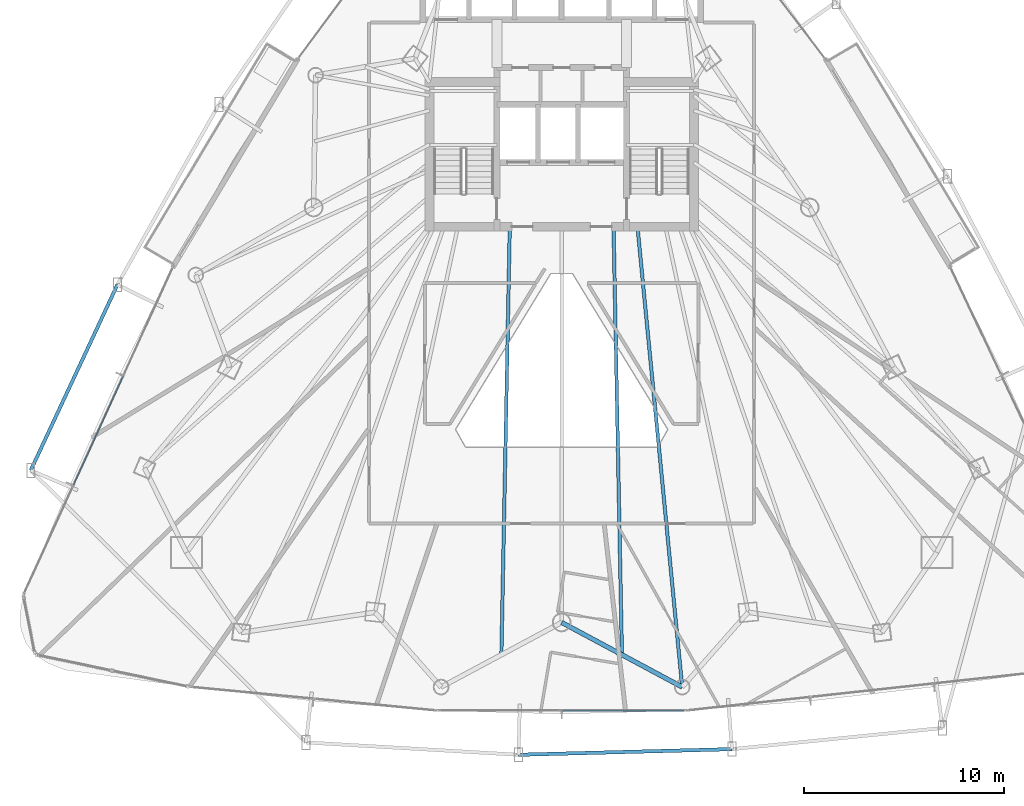
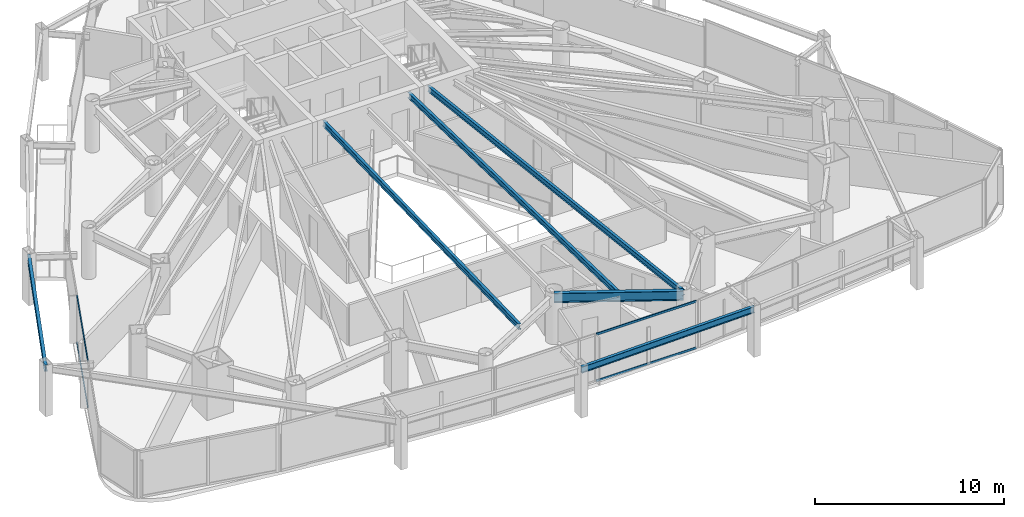
# One storey, part 7 of 33: 6 beams, 4 members, 2 elements without a shape of their own.
"""IFC4 building model written with IfcOpenShell, lengths in metres."""

import ifcopenshell
import ifcopenshell.guid

model = None  # the IFC model being written
_history = None  # IfcOwnerHistory: only IFC2X3 demands one
_inside = {}  # id of a spatial element -> (the spatial element, [elements in it])
_under = {}  # id of a project, library or spatial element -> (it, [spatial elements below it])
_declared = {}  # id of a project -> (the project, [libraries it declares])
_typed = {}  # id of a type object -> (the type object, [elements of that type])
_made_of = {}  # id of a material, layer set ... -> (it, [elements and type objects made of it])


def new_model(schema):
    """Start an empty IFC model of exactly this schema.

    Asked for "IFC4X3", IfcOpenShell would pick the latest addendum, in which some entities
    have other attributes; the version numbers below select the first issue.
    IFC2X3 requires an IfcOwnerHistory on every rooted entity: one is made here for all.
    """
    global model, _history
    if schema == "IFC4X3":
        model = ifcopenshell.file(schema_version=(4, 3, 0, 0))
    else:
        model = ifcopenshell.file(schema=schema)
    _inside.clear()
    _under.clear()
    _declared.clear()
    _typed.clear()
    _made_of.clear()
    _history = None
    if model.schema == "IFC2X3":
        org = make("IfcOrganization", Name="unknown")
        user = make(
            "IfcPersonAndOrganization",
            ThePerson=make("IfcPerson", FamilyName="unknown"),
            TheOrganization=org,
        )
        app = make(
            "IfcApplication",
            ApplicationDeveloper=org,
            Version="unknown",
            ApplicationFullName="unknown",
            ApplicationIdentifier="unknown",
        )
        _history = make(
            "IfcOwnerHistory",
            OwningUser=user,
            OwningApplication=app,
            ChangeAction="ADDED",
            CreationDate=0,
        )
    return model


def make(cls, **values):
    """One entity of the class cls with the attributes given. An attribute that is None is left unset."""
    return model.create_entity(
        cls, **{name: value for name, value in values.items() if value is not None}
    )


def rooted(cls, **values):
    """An entity with a GlobalId (a new one), such as an element, a storey or a relation."""
    return make(cls, GlobalId=ifcopenshell.guid.new(), OwnerHistory=_history, **values)


def si_unit(unit_type, name, prefix=None):
    """IfcSIUnit, for example si_unit("LENGTHUNIT", "METRE", prefix="MILLI")."""
    return make("IfcSIUnit", UnitType=unit_type, Prefix=prefix, Name=name)


def assignment(units):
    """IfcUnitAssignment: the units of a project."""
    return None if units is None else make("IfcUnitAssignment", Units=units)


def point(xyz):
    """IfcCartesianPoint."""
    return None if xyz is None else make("IfcCartesianPoint", Coordinates=xyz)


def direction(xyz):
    """IfcDirection."""
    return None if xyz is None else make("IfcDirection", DirectionRatios=xyz)


def frame(location, z_axis=None, x_axis=None):
    """IfcAxis2Placement3D, a coordinate frame: its origin and axes. An axis left out is left unset."""
    return make(
        "IfcAxis2Placement3D",
        Location=point(location),
        Axis=direction(z_axis),
        RefDirection=direction(x_axis),
    )


def frame_2d(location, x_axis=None):
    """IfcAxis2Placement2D, a coordinate frame in the plane: its origin and x axis."""
    return make(
        "IfcAxis2Placement2D", Location=point(location), RefDirection=direction(x_axis)
    )


def origin():
    """The frame at (0, 0, 0) with its axes left unset."""
    return frame((0.0, 0.0, 0.0))


def origin_2d():
    """The frame at (0, 0) in the plane with its x axis left unset."""
    return frame_2d((0.0, 0.0))


def place(relative_to, where):
    """IfcLocalPlacement: puts the frame where relative to a parent placement (None: the world)."""
    return make(
        "IfcLocalPlacement", PlacementRelTo=relative_to, RelativePlacement=where
    )


def context(
    kind, dimensions, precision=None, world=None, true_north=None, identifier=None
):
    """IfcGeometricRepresentationContext, for example the 3D "Model" context."""
    return make(
        "IfcGeometricRepresentationContext",
        ContextIdentifier=identifier,
        ContextType=kind,
        CoordinateSpaceDimension=dimensions,
        Precision=precision,
        WorldCoordinateSystem=world,
        TrueNorth=true_north,
    )


def subcontext(parent, identifier, kind, view, scale=None):
    """IfcGeometricRepresentationSubContext, for example "Body" below "Model"."""
    return make(
        "IfcGeometricRepresentationSubContext",
        ContextIdentifier=identifier,
        ContextType=kind,
        ParentContext=parent,
        TargetScale=scale,
        TargetView=view,
    )


def project(units=None, contexts=None):
    """IfcProject with its units and contexts."""
    return rooted(
        "IfcProject",
        Name="project",
        RepresentationContexts=contexts,
        UnitsInContext=assignment(units),
    )


def spatial(cls, under=None, at=None, **own):
    """A site, building, storey or space (cls), placed at a placement, below another one or the project."""
    s = rooted(cls, ObjectPlacement=at, **own)
    if under is not None:
        _under.setdefault(under.id(), (under, []))[1].append(s)
    return s


def profile(cls, at=None, kind="AREA", **sizes):
    """A parametric profile (cls). Its sizes go by their IFC names, for example OverallWidth=200.0."""
    return make(cls, ProfileType=kind, Position=at, **sizes)


def hollow_rectangle(**sizes):
    """IfcRectangleHollowProfileDef."""
    return profile("IfcRectangleHollowProfileDef", **sizes)


def i_section(**sizes):
    """IfcIShapeProfileDef."""
    return profile("IfcIShapeProfileDef", **sizes)


def extrude(swept, where, along, depth):
    """IfcExtrudedAreaSolid: the profile swept, set in the frame where, extruded along a direction by depth."""
    return make(
        "IfcExtrudedAreaSolid",
        SweptArea=swept,
        Position=where,
        ExtrudedDirection=direction(along),
        Depth=depth,
    )


def shape(context_of_items, identifier, shape_type, items):
    """IfcShapeRepresentation: the items that make up one representation, for example the "Body"."""
    return make(
        "IfcShapeRepresentation",
        ContextOfItems=context_of_items,
        RepresentationIdentifier=identifier,
        RepresentationType=shape_type,
        Items=items,
    )


def material(Name=None, Category=None):
    """IfcMaterial."""
    return make("IfcMaterial", Name=Name, Category=Category)


def layer(
    of_material, thickness, ventilated=None, Name=None, Category=None, Priority=None
):
    """IfcMaterialLayer: one layer of a wall or slab, of a material (None: an air gap)."""
    return make(
        "IfcMaterialLayer",
        Material=of_material,
        LayerThickness=thickness,
        IsVentilated=ventilated,
        Name=Name,
        Category=Category,
        Priority=Priority,
    )


def layer_set(layers, Name=None):
    """IfcMaterialLayerSet."""
    return make("IfcMaterialLayerSet", MaterialLayers=layers, LayerSetName=Name)


def material_profile(
    of_material, cross_section, Name=None, Category=None, Priority=None
):
    """IfcMaterialProfile: a cross section and its material."""
    return make(
        "IfcMaterialProfile",
        Name=Name,
        Material=of_material,
        Profile=cross_section,
        Priority=Priority,
        Category=Category,
    )


def profile_set(profiles, Name=None, composite=None):
    """IfcMaterialProfileSet."""
    return make(
        "IfcMaterialProfileSet",
        Name=Name,
        MaterialProfiles=profiles,
        CompositeProfile=composite,
    )


def made_of(thing, what):
    """Note that an element or type object is made of a material, layer set ...; save() writes the relation."""
    if what is not None:
        _made_of.setdefault(what.id(), (what, []))[1].append(thing)
    return thing


def type_object(cls, material=None, **own):
    """A type object (cls), such as IfcWallType, which elements share."""
    return made_of(rooted(cls, **own), material)


def element(
    cls,
    number,
    at=None,
    inside=None,
    cuts=None,
    type_object=None,
    material=None,
    context=None,
    identifier="Body",
    shape_type=None,
    held_by="IfcProductDefinitionShape",
    body=None,
    shapes=None,
    **own,
):
    """One element of the class cls, such as IfcWall. Its Tag is "e" and its number.

    at: its placement. inside: the storey or other place that contains it. cuts: it is an
    opening in that element (IfcRelVoidsElement). A single representation is given by context,
    identifier, shape_type and body (its items); several are given by shapes. held_by: the class
    of the entity that holds the representations. save() writes the other relations.
    """
    e = rooted(cls, Tag="e%d" % number, ObjectPlacement=at, **own)
    if body is not None:
        shapes = [shape(context, identifier, shape_type, body)]
    if shapes is not None:
        e.Representation = make(held_by, Representations=shapes)
    if inside is not None:
        _inside.setdefault(inside.id(), (inside, []))[1].append(e)
    if cuts is not None:
        rooted(
            "IfcRelVoidsElement", RelatingBuildingElement=cuts, RelatedOpeningElement=e
        )
    if type_object is not None:
        _typed.setdefault(type_object.id(), (type_object, []))[1].append(e)
    return made_of(e, material)


def aggregate(whole, parts):
    """IfcRelAggregates: a whole, such as a stair, and the parts it consists of."""
    return rooted("IfcRelAggregates", RelatingObject=whole, RelatedObjects=parts)


def save(model, path):
    """Write the relations noted so far, then the file.

    IfcRelAggregates (storeys below a building ...), IfcRelContainedInSpatialStructure (elements
    in a storey), IfcRelDefinesByType, IfcRelAssociatesMaterial and IfcRelDeclares: one each for
    every whole, place, type object, material and project.
    """
    for whole, parts in _under.values():
        aggregate(whole, parts)
    for where, things in _inside.values():
        rooted(
            "IfcRelContainedInSpatialStructure",
            RelatedElements=things,
            RelatingStructure=where,
        )
    for kind, things in _typed.values():
        rooted("IfcRelDefinesByType", RelatedObjects=things, RelatingType=kind)
    for what, things in _made_of.values():
        rooted("IfcRelAssociatesMaterial", RelatedObjects=things, RelatingMaterial=what)
    for by, libraries in _declared.values():
        rooted("IfcRelDeclares", RelatingContext=by, RelatedDefinitions=libraries)
    model.write(path)


model = new_model("IFC4")

# Units and contexts
model_context = context("Model", 3, precision=1e-05, world=origin(), true_north=direction((0.0, 1.0)))
body_context = subcontext(model_context, "Body", "Model", "MODEL_VIEW")
ifc_project = project(units=[si_unit("LENGTHUNIT", "METRE"), si_unit("AREAUNIT", "SQUARE_METRE"), si_unit("VOLUMEUNIT", "CUBIC_METRE"), si_unit("PLANEANGLEUNIT", "RADIAN"), si_unit("MASSUNIT", "GRAM", prefix="KILO")], contexts=[model_context])

# Site, building, storey
site_placement = place(None, origin())
site = spatial("IfcSite", under=ifc_project, at=site_placement, CompositionType="ELEMENT")
building_placement = place(site_placement, origin())
building = spatial("IfcBuilding", under=site, at=building_placement, Name="Orvanel Arch Residences", CompositionType="ELEMENT")
storey_placement = place(building_placement, frame((0.0, 0.0, 90.64990234375)))
storey = spatial("IfcBuildingStorey", under=building, at=storey_placement, Name="L25", CompositionType="ELEMENT", Elevation=90.64990234375)

# Beams
ifc_material_1 = material(Name="Structural steel AS/NZS 3679.1 Grade 300 (300 MPa)", Category="steel")
ifc_material_profile_1 = material_profile(ifc_material_1, i_section(OverallWidth=0.1708984375, OverallDepth=0.35595703125, WebThickness=0.00732421875, FlangeThickness=0.011474609375, at=origin_2d()), Name="360UB50.7")
ifc_profile_set_1 = profile_set([ifc_material_profile_1], Name="Structural steel AS/NZS 3679.1 Grade 300 (300 MPa)")
beam_type_1 = type_object("IfcBeamType", Name="BJ-360UB", PredefinedType="JOIST", material=ifc_profile_set_1)
for number, where, z_axis, x_axis, name in (
    (1, (30.39990234375, 26.675048828125, 2.882080078125), (-0.019617680075, -0.999807554797, 0.0), (0.999807554797, -0.019617680075, 0.0), "L25 WSW2 Wing Floor Joist"),
    (2, (35.60009765625, 26.675048828125, 2.882080078125), (0.019617680075, -0.999807554797, 0.0), (0.999807554797, 0.019617680075, 0.0), "L25 ESE2 Wing Floor Joist"),
):
    element("IfcBeam", number, at=place(storey_placement, frame(where, z_axis=z_axis, x_axis=x_axis)), inside=storey, type_object=beam_type_1, Name=name, PredefinedType="JOIST", context=body_context, shape_type="SweptSolid", body=[
        extrude(i_section(OverallWidth=0.1708984375, OverallDepth=0.35595703125, WebThickness=0.00732421875, FlangeThickness=0.011474609375, at=origin_2d()), origin(), (0.0, 0.0, 1.0), 21.455078125),
    ])
beam_1_placement = place(storey_placement, frame((36.800048828125, 26.675048828125, 2.882080078125), z_axis=(0.096724091756, -0.995311232768, 0.0), x_axis=(0.995311232768, 0.096724091756, 0.0)))
element("IfcBeam", 3, at=beam_1_placement, inside=storey, type_object=beam_type_1, Name="L25 LSE Wing Floor Joist", PredefinedType="JOIST", context=body_context, shape_type="SweptSolid", body=[
    extrude(i_section(OverallWidth=0.1708984375, OverallDepth=0.35595703125, WebThickness=0.00732421875, FlangeThickness=0.011474609375, at=origin_2d()), origin(), (0.0, 0.0, 1.0), 23.1787109375),
])
ifc_material_profile_2 = material_profile(ifc_material_1, i_section(OverallWidth=0.177978515625, OverallDepth=0.406005859375, WebThickness=0.0078125, FlangeThickness=0.0126953125, at=origin_2d()), Name="410UB59.7")
ifc_profile_set_2 = profile_set([ifc_material_profile_2], Name="Structural steel AS/NZS 3679.1 Grade 300 (300 MPa)")
beam_type_2 = type_object("IfcBeamType", Name="OB-410UB-EXT", PredefinedType="SPANDREL", material=ifc_profile_set_2)
beam_2_placement = place(storey_placement, frame((10.735107421875, 23.77099609375, 2.857177734375), z_axis=(-0.422984370359, -0.906136977742, 0.0), x_axis=(0.906136977742, -0.422984370359, 0.0)))
element("IfcBeam", 4, at=beam_2_placement, inside=storey, type_object=beam_type_2, Name="L25 Outer Perimeter Floor Ring Beam 03", PredefinedType="SPANDREL", context=body_context, shape_type="SweptSolid", body=[
    extrude(i_section(OverallWidth=0.177978515625, OverallDepth=0.406005859375, WebThickness=0.0078125, FlangeThickness=0.0126953125, at=origin_2d()), origin(), (0.0, 0.0, 1.0), 10.269775390625),
])
beam_3_placement = place(storey_placement, frame((30.8369140625, 0.2119140625, 2.857177734375), z_axis=(0.999652670773, 0.026354085384, 0.0), x_axis=(-0.026354085384, 0.999652670773, 0.0)))
element("IfcBeam", 5, at=beam_3_placement, inside=storey, type_object=beam_type_2, Name="L25 Outer Perimeter Floor Ring Beam 06", PredefinedType="SPANDREL", context=body_context, shape_type="SweptSolid", body=[
    extrude(i_section(OverallWidth=0.177978515625, OverallDepth=0.406005859375, WebThickness=0.0078125, FlangeThickness=0.0126953125, at=origin_2d()), origin(), (0.0, 0.0, 1.0), 10.69970703125),
])
ifc_material_profile_3 = material_profile(ifc_material_1, i_section(OverallWidth=0.22900390625, OverallDepth=0.612060546875, WebThickness=0.011962890625, FlangeThickness=0.01953125, at=origin_2d()), Name="610UB125")
ifc_profile_set_3 = profile_set([ifc_material_profile_3], Name="Structural steel AS/NZS 3679.1 Grade 300 (300 MPa)")
beam_type_3 = type_object("IfcBeamType", Name="SP-610UB", PredefinedType="SPANDREL", material=ifc_profile_set_3)
beam_4_placement = place(storey_placement, frame((33.0, 6.843994140625, 2.754150390625), z_axis=(0.881344400551, -0.472474388319, 0.0), x_axis=(0.472474388319, 0.881344400551, 0.0)))
element("IfcBeam", 6, at=beam_4_placement, inside=storey, type_object=beam_type_3, Name="L25 Perimeter Spandrel Beam 07", PredefinedType="SPANDREL", context=body_context, shape_type="SweptSolid", body=[
    extrude(i_section(OverallWidth=0.22900390625, OverallDepth=0.612060546875, WebThickness=0.011962890625, FlangeThickness=0.01953125, at=origin_2d()), origin(), (0.0, 0.0, 1.0), 6.85546875),
])

# Curtain wall, members
ifc_material_2 = material(Name="Bronze-anodised aluminium AA6063-T6", Category="aluminium")
ifc_layer = layer(ifc_material_2, 0.179931640625)
ifc_layer_set = layer_set([ifc_layer], Name="Bronze-anodised aluminium AA6063-T6")
curtain_wall_type = type_object("IfcCurtainWallType", Name="CW2-LOW-SYS", PredefinedType="NOTDEFINED", material=ifc_layer_set)
curtain_wall_1_placement = place(storey_placement, origin())
curtain_wall_1 = element("IfcCurtainWall", 7, at=curtain_wall_1_placement, inside=storey, type_object=curtain_wall_type, Name="L25 CW2-LOW-SYS Unitised Curtain Wall", PredefinedType="NOTDEFINED")
ifc_material_profile_4 = material_profile(ifc_material_2, hollow_rectangle(XDim=0.06005859375, YDim=0.135009765625, WallThickness=0.00390625, at=origin_2d()), Name="ALU135x60x4")
ifc_profile_set_4 = profile_set([ifc_material_profile_4], Name="Bronze-anodised aluminium AA6063-T6")
member_type = type_object("IfcMemberType", Name="TRN-135x60", PredefinedType="USERDEFINED", material=ifc_profile_set_4)
member_1_placement = place(storey_placement, frame((11.018798828125, 19.168701171875, 0.030029296875), z_axis=(-0.415001615187, -0.909820674305, 0.0), x_axis=(0.909820674305, -0.415001615187, 0.0)))
member_1 = element("IfcMember", 8, at=member_1_placement, type_object=member_type, Name="CW-S2 transom 2.1", ObjectType="TRANSOM", PredefinedType="USERDEFINED", context=body_context, shape_type="SweptSolid", body=[
    extrude(hollow_rectangle(XDim=0.06005859375, YDim=0.135009765625, WallThickness=0.00390625, at=origin_2d()), origin(), (0.0, 0.0, 1.0), 5.967529296875),
])
member_2_placement = place(storey_placement, frame((11.018798828125, 19.168701171875, 3.030029296875), z_axis=(-0.415001615187, -0.909820674305, 0.0), x_axis=(0.909820674305, -0.415001615187, 0.0)))
member_2 = element("IfcMember", 9, at=member_2_placement, type_object=member_type, Name="CW-S2 transom 2.2", ObjectType="TRANSOM", PredefinedType="USERDEFINED", context=body_context, shape_type="SweptSolid", body=[
    extrude(hollow_rectangle(XDim=0.06005859375, YDim=0.135009765625, WallThickness=0.00390625, at=origin_2d()), origin(), (0.0, 0.0, 1.0), 5.967529296875),
])
aggregate(curtain_wall_1, [member_1, member_2])

curtain_wall_2_placement = place(storey_placement, origin())
curtain_wall_2 = element("IfcCurtainWall", 10, at=curtain_wall_2_placement, inside=storey, type_object=curtain_wall_type, Name="L25 CW2-LOW-SYS Unitised Curtain Wall", PredefinedType="NOTDEFINED")
member_3_placement = place(storey_placement, frame((33.034912109375, 2.422119140625, 0.030029296875), z_axis=(1.0, 0.0, 0.0), x_axis=(0.0, 1.0, 0.0)))
member_3 = element("IfcMember", 11, at=member_3_placement, type_object=member_type, Name="CW-S2 transom 2.1", ObjectType="TRANSOM", PredefinedType="USERDEFINED", context=body_context, shape_type="SweptSolid", body=[
    extrude(hollow_rectangle(XDim=0.06005859375, YDim=0.135009765625, WallThickness=0.00390625, at=origin_2d()), origin(), (0.0, 0.0, 1.0), 6.092041015625),
])
member_4_placement = place(storey_placement, frame((33.034912109375, 2.422119140625, 3.030029296875), z_axis=(1.0, 0.0, 0.0), x_axis=(0.0, 1.0, 0.0)))
member_4 = element("IfcMember", 12, at=member_4_placement, type_object=member_type, Name="CW-S2 transom 2.2", ObjectType="TRANSOM", PredefinedType="USERDEFINED", context=body_context, shape_type="SweptSolid", body=[
    extrude(hollow_rectangle(XDim=0.06005859375, YDim=0.135009765625, WallThickness=0.00390625, at=origin_2d()), origin(), (0.0, 0.0, 1.0), 6.092041015625),
])
aggregate(curtain_wall_2, [member_3, member_4])

save(model, "model.ifc")
